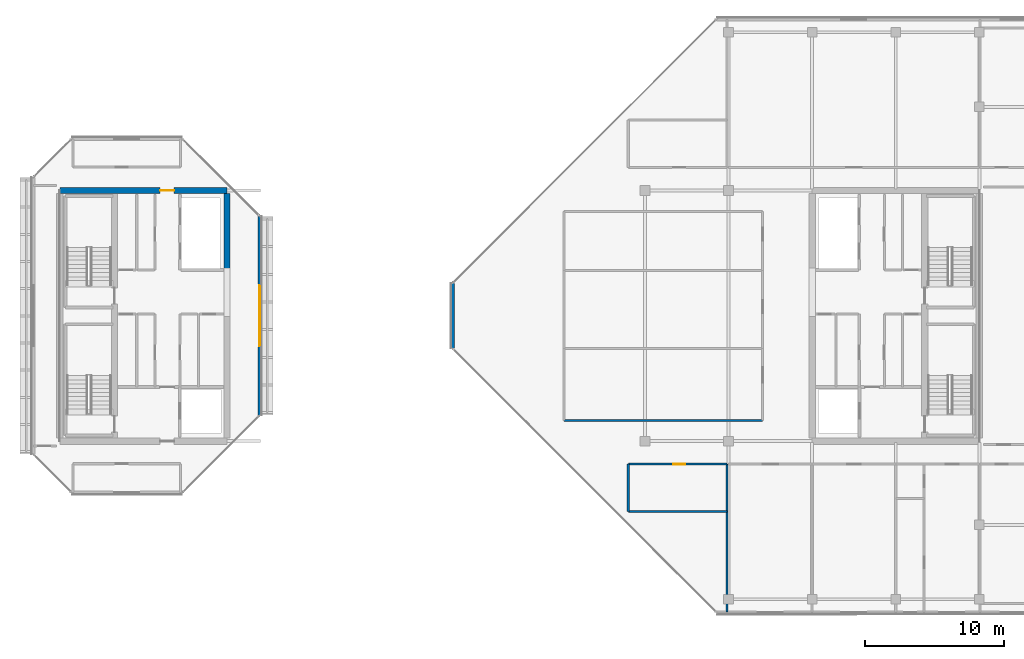
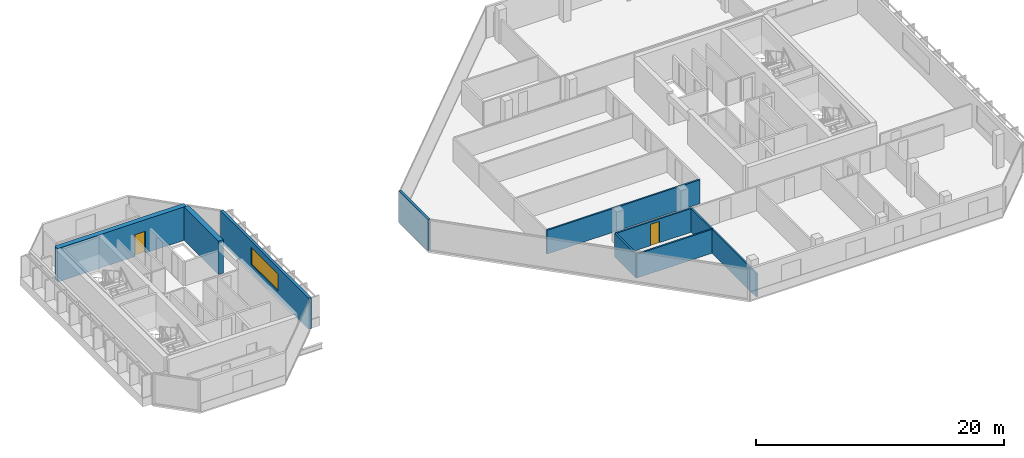
# One storey, part 22 of 29: 9 walls, 2 doors, 1 window, 3 openings.
"""IFC4 building model written with IfcOpenShell, lengths in metres."""

from ifc_helpers import new_model, si_unit, direction, frame, frame_2d, origin, place, context, subcontext, project, spatial, rectangle, extrude, material, layer, layer_set, type_object, element, fill, save


model = new_model("IFC4")

# Units and contexts
model_context = context("Model", 3, precision=1e-05, world=origin(), true_north=direction((0.0, 1.0)))
body_context = subcontext(model_context, "Body", "Model", "MODEL_VIEW")
ifc_project = project(units=[si_unit("LENGTHUNIT", "METRE"), si_unit("AREAUNIT", "SQUARE_METRE"), si_unit("VOLUMEUNIT", "CUBIC_METRE"), si_unit("PLANEANGLEUNIT", "RADIAN"), si_unit("MASSUNIT", "GRAM", prefix="KILO")], contexts=[model_context])

# Site, building, storey
site_placement = place(None, origin())
site = spatial("IfcSite", under=ifc_project, at=site_placement, CompositionType="ELEMENT")
building_placement = place(site_placement, origin())
building = spatial("IfcBuilding", under=site, at=building_placement, Name="Tanjung Sevakor Pilgrim Tower", CompositionType="ELEMENT")
storey_placement = place(building_placement, frame((0.0, 0.0, 232.64990234375)))
storey = spatial("IfcBuildingStorey", under=building, at=storey_placement, Name="L65", CompositionType="ELEMENT", Elevation=232.64990234375)

# Wall, opening, door
ifc_material_1 = material(Name="Concrete C60/75", Category="concrete")
ifc_layer_1 = layer(ifc_material_1, 0.449951171875)
ifc_layer_set_1 = layer_set([ifc_layer_1], Name="WALL-CW-450")
wall_type_1 = type_object("IfcWallType", Name="WALL-CW-450", PredefinedType="SHEAR", material=ifc_layer_set_1)
wall_1_placement = place(storey_placement, frame((36.0, 42.60009765625, 0.0), z_axis=(0.0, 0.0, 1.0), x_axis=(-1.0, 0.0, 0.0)))
wall_1 = element("IfcWall", 1, at=wall_1_placement, inside=storey, type_object=wall_type_1, Name="L65 W Core North Shear Wall", PredefinedType="SHEAR", context=body_context, shape_type="SweptSolid", body=[
    extrude(rectangle(XDim=12.0, YDim=0.449951171875, at=frame_2d((6.0, 0.0))), origin(), (0.0, 0.0, 1.0), 3.300048828125),
])
opening_1_placement = place(wall_1_placement, frame((3.800048828125, 0.0, 0.0)))
opening_1 = element("IfcOpeningElement", 2, at=opening_1_placement, cuts=wall_1, Name="Opening ID-FD1", PredefinedType="OPENING", context=body_context, shape_type="SweptSolid", body=[
    extrude(rectangle(XDim=1.0, YDim=2.14990234375, at=frame_2d((0.5, 1.074951171875))), frame((0.0, 0.23486328125, 0.0), z_axis=(0.0, -1.0, 0.0), x_axis=(1.0, 0.0, 0.0)), (0.0, 0.0, 1.0), 0.469970703125),
])
ifc_material_2 = material(Name="Fire-Rated Steel S355J2", Category="steel")
door_type_1 = type_object("IfcDoorType", Name="DT-FIRE-1000", OperationType="NOTDEFINED", PredefinedType="DOOR", material=ifc_material_2)
door_1_placement = place(opening_1_placement, origin())
door_1 = element("IfcDoor", 3, at=door_1_placement, inside=storey, type_object=door_type_1, Name="L65 West Core North Vestibule Fire Door", OperationType="SINGLE_SWING_RIGHT", OverallHeight=2.14990234375, OverallWidth=1.0, PredefinedType="DOOR", context=body_context, shape_type="SweptSolid", body=[
    extrude(rectangle(XDim=1.0, YDim=2.14990234375, at=frame_2d((0.5, 1.074951171875))), frame((0.0, 0.02490234375, 0.0), z_axis=(0.0, -1.0, 0.0), x_axis=(1.0, 0.0, 0.0)), (0.0, 0.0, 1.0), 0.050048828125),
])
fill(opening_1, door_1)

# Walls
wall_2_placement = place(storey_placement, frame((36.0, 36.800048828125, 0.0), z_axis=(0.0, 0.0, 1.0), x_axis=(0.0, 1.0, 0.0)))
element("IfcWall", 4, at=wall_2_placement, inside=storey, type_object=wall_type_1, Name="L65 W Core Inner Shear Wall North", PredefinedType="SHEAR", context=body_context, shape_type="SweptSolid", body=[
    extrude(rectangle(XDim=5.574951171875, YDim=0.449951171875, at=frame_2d((2.78759765625, 0.0))), origin(), (0.0, 0.0, 1.0), 3.300048828125),
])
ifc_material_3 = material(Name="Concrete C40/50", Category="concrete")
ifc_layer_2 = layer(ifc_material_3, 0.14990234375)
ifc_layer_set_2 = layer_set([ifc_layer_2], Name="WT-COMP-150")
wall_type_2 = type_object("IfcWallType", Name="WT-COMP-150", PredefinedType="SOLIDWALL", material=ifc_layer_set_2)
wall_3_placement = place(storey_placement, frame((64.800048828125, 19.550048828125, 0.0), z_axis=(0.0, 0.0, 1.0), x_axis=(1.0, 0.0, 0.0)))
element("IfcWall", 5, at=wall_3_placement, inside=storey, type_object=wall_type_2, Name="L65 Partition IW-L65-041", PredefinedType="SOLIDWALL", context=body_context, shape_type="SweptSolid", body=[
    extrude(rectangle(XDim=7.079833984375, YDim=0.14990234375, at=frame_2d((3.5400390625, 0.0))), origin(), (0.0, 0.0, 1.0), 2.35009765625),
])

# Wall, opening, door
wall_4_placement = place(storey_placement, frame((64.800048828125, 22.949951171875, 0.0), z_axis=(0.0, 0.0, 1.0), x_axis=(1.0, 0.0, 0.0)))
wall_4 = element("IfcWall", 6, at=wall_4_placement, inside=storey, type_object=wall_type_2, Name="L65 Partition IW-L65-042", PredefinedType="SOLIDWALL", context=body_context, shape_type="SweptSolid", body=[
    extrude(rectangle(XDim=7.079833984375, YDim=0.14990234375, at=frame_2d((3.5400390625, 0.0))), origin(), (0.0, 0.0, 1.0), 2.35009765625),
])
opening_2_placement = place(wall_4_placement, frame((3.22509765625, 0.0, 0.0)))
opening_2 = element("IfcOpeningElement", 7, at=opening_2_placement, cuts=wall_4, Name="Opening ID-WC1", PredefinedType="OPENING", context=body_context, shape_type="SweptSolid", body=[
    extrude(rectangle(XDim=0.85009765625, YDim=2.10009765625, at=frame_2d((0.425048828125, 1.050048828125))), frame((0.0, 0.0849609375, 0.0), z_axis=(0.0, -1.0, 0.0), x_axis=(1.0, 0.0, 0.0)), (0.0, 0.0, 1.0), 0.169921875),
])
ifc_material_4 = material(Name="Moisture-Resistant Timber", Category="wood")
door_type_2 = type_object("IfcDoorType", Name="DT-INT-850", OperationType="NOTDEFINED", PredefinedType="DOOR", material=ifc_material_4)
door_2_placement = place(opening_2_placement, origin())
door_2 = element("IfcDoor", 8, at=door_2_placement, inside=storey, type_object=door_type_2, Name="L65 SW Crown Suite Door", OperationType="SINGLE_SWING_RIGHT", OverallHeight=2.10009765625, OverallWidth=0.85009765625, PredefinedType="DOOR", context=body_context, shape_type="SweptSolid", body=[
    extrude(rectangle(XDim=0.85009765625, YDim=2.10009765625, at=frame_2d((0.425048828125, 1.050048828125))), frame((0.0, 0.02490234375, 0.0), z_axis=(0.0, -1.0, 0.0), x_axis=(1.0, 0.0, 0.0)), (0.0, 0.0, 1.0), 0.050048828125),
])
fill(opening_2, door_2)

# Walls
wall_5_placement = place(storey_placement, frame((64.800048828125, 19.550048828125, 0.0), z_axis=(0.0, 0.0, 1.0), x_axis=(0.0, 1.0, 0.0)))
element("IfcWall", 9, at=wall_5_placement, inside=storey, type_object=wall_type_2, Name="L65 Partition IW-L65-043", PredefinedType="SOLIDWALL", context=body_context, shape_type="SweptSolid", body=[
    extrude(rectangle(XDim=3.39990234375, YDim=0.14990234375, at=frame_2d((1.699951171875, 0.0))), origin(), (0.0, 0.0, 1.0), 2.35009765625),
])
wall_6_placement = place(storey_placement, frame((71.8798828125, 12.340087890625, 0.0), z_axis=(0.0, 0.0, 1.0), x_axis=(0.0, 1.0, 0.0)))
element("IfcWall", 10, at=wall_6_placement, inside=storey, type_object=wall_type_2, Name="L65 Partition IW-L65-044", PredefinedType="SOLIDWALL", context=body_context, shape_type="SweptSolid", body=[
    extrude(rectangle(XDim=10.60986328125, YDim=0.14990234375, at=frame_2d((5.304931640625, 0.0))), origin(), (0.0, 0.0, 1.0), 2.35009765625),
])
wall_7_placement = place(storey_placement, frame((60.199951171875, 26.10009765625, 0.0), z_axis=(0.0, 0.0, 1.0), x_axis=(1.0, 0.0, 0.0)))
element("IfcWall", 11, at=wall_7_placement, inside=storey, type_object=wall_type_2, Name="L65 Partition IW-L65-065", PredefinedType="SOLIDWALL", context=body_context, shape_type="SweptSolid", body=[
    extrude(rectangle(XDim=14.25, YDim=0.14990234375, at=frame_2d((7.125, 0.0))), origin(), (0.0, 0.0, 1.0), 2.35009765625),
])

# Wall, opening, window
ifc_material_5 = material(Name="Precast concrete C45/55", Category="concrete")
ifc_layer_3 = layer(ifc_material_5, 0.219970703125)
ifc_layer_set_3 = layer_set([ifc_layer_3], Name="WT-EW-STN4")
wall_type_3 = type_object("IfcWallType", Name="WT-EW-STN4", PredefinedType="SOLIDWALL", material=ifc_layer_set_3)
wall_8_placement = place(storey_placement, frame((38.340087890625, 26.445556640625, 0.0), z_axis=(0.0, 0.0, 1.0), x_axis=(0.0, 1.0, 0.0)))
wall_8 = element("IfcWall", 12, at=wall_8_placement, inside=storey, type_object=wall_type_3, Name="L65 WEST Exterior Wall 3", PredefinedType="SOLIDWALL", context=body_context, shape_type="SweptSolid", body=[
    extrude(rectangle(XDim=14.308837890625, YDim=0.219970703125, at=frame_2d((7.154296875, 0.0))), origin(), (0.0, 0.0, 1.0), 3.080078125),
])
opening_3_placement = place(wall_8_placement, frame((4.954345703125, 0.0, 0.780029296875)))
opening_3 = element("IfcOpeningElement", 13, at=opening_3_placement, cuts=wall_8, Name="Opening WN-ENDW-1660", PredefinedType="OPENING", context=body_context, shape_type="SweptSolid", body=[
    extrude(rectangle(XDim=4.39990234375, YDim=1.659912109375, at=frame_2d((2.199951171875, 0.830078125))), frame((0.0, 0.119873046875, 0.0), z_axis=(0.0, -1.0, 0.0), x_axis=(1.0, 0.0, 0.0)), (0.0, 0.0, 1.0), 0.239990234375),
])
ifc_material_6 = material(Name="Thermally Broken Aluminium and Low-E Glass", Category="aluminium")
window_type = type_object("IfcWindowType", Name="WTYP-WN-ENDW-1660", PartitioningType="DOUBLE_PANEL_VERTICAL", PredefinedType="WINDOW", material=ifc_material_6)
window_placement = place(opening_3_placement, origin())
window = element("IfcWindow", 14, at=window_placement, inside=storey, type_object=window_type, Name="L65 Facade Window 01", OverallHeight=1.659912109375, OverallWidth=4.39990234375, PartitioningType="SINGLE_PANEL", PredefinedType="WINDOW", context=body_context, shape_type="SweptSolid", body=[
    extrude(rectangle(XDim=4.39990234375, YDim=1.659912109375, at=frame_2d((2.199951171875, 0.830078125))), frame((0.0, 0.030029296875, 0.0), z_axis=(0.0, -1.0, 0.0), x_axis=(1.0, 0.0, 0.0)), (0.0, 0.0, 1.0), 0.06005859375),
])
fill(opening_3, window)

# Wall
wall_9_placement = place(storey_placement, frame((52.2099609375, 35.954345703125, 0.0), z_axis=(0.0, 0.0, 1.0), x_axis=(0.0, -1.0, 0.0)))
element("IfcWall", 15, at=wall_9_placement, inside=storey, type_object=wall_type_3, Name="L65 EAST Exterior Wall 7", PredefinedType="SOLIDWALL", context=body_context, shape_type="SweptSolid", body=[
    extrude(rectangle(XDim=4.708740234375, YDim=0.219970703125, at=frame_2d((2.3544921875, 0.0))), origin(), (0.0, 0.0, 1.0), 3.080078125),
])

save(model, "model.ifc")
